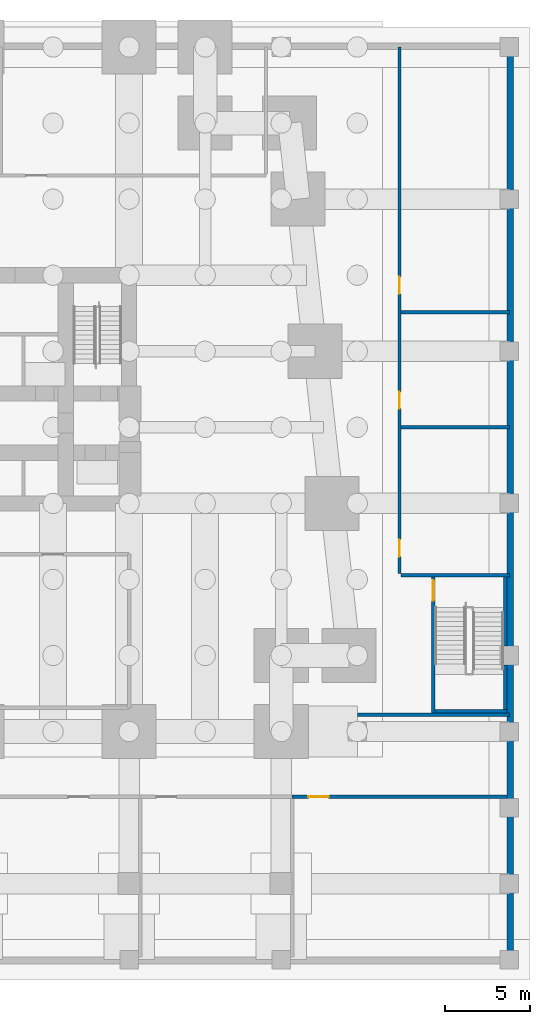
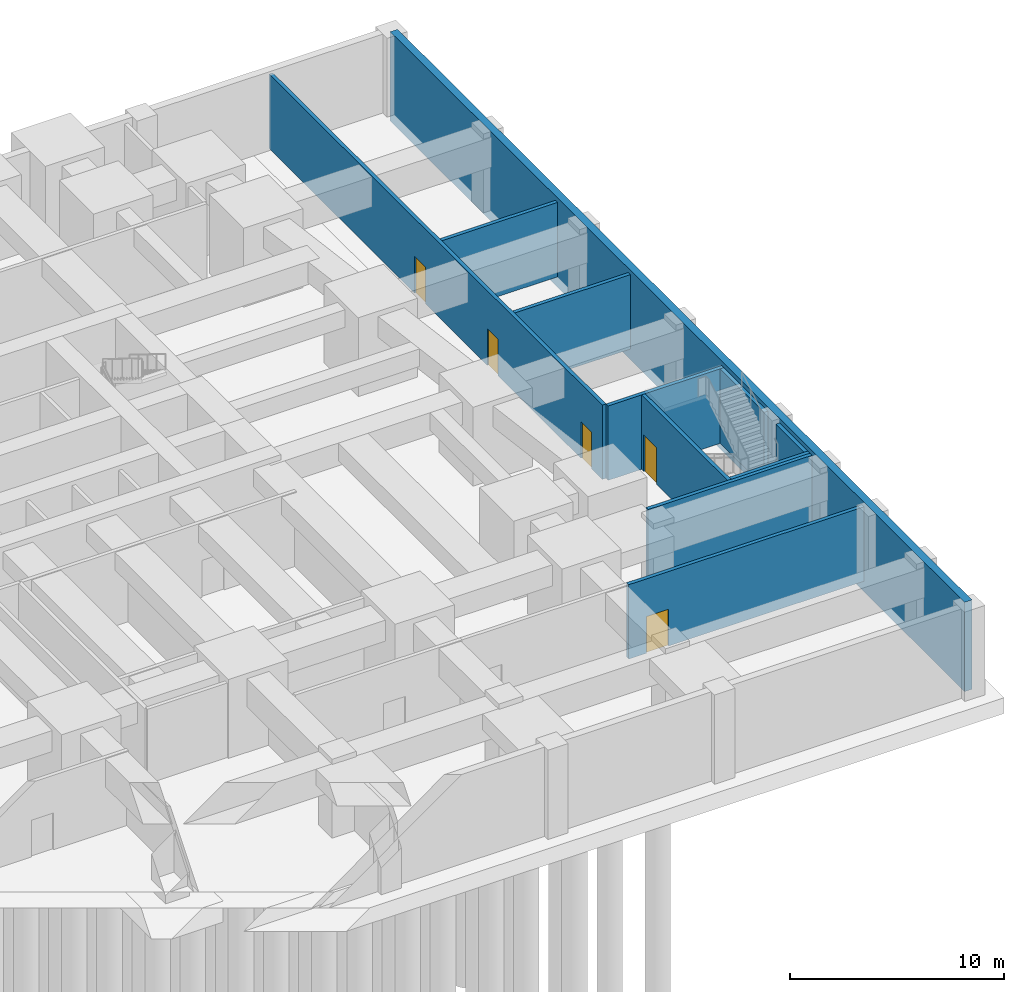
# One storey, part 5 of 9: 11 walls, 5 doors, 5 openings.
"""IFC4 building model written with IfcOpenShell, lengths in metres."""

import ifcopenshell
import ifcopenshell.guid

model = None  # the IFC model being written
_history = None  # IfcOwnerHistory: only IFC2X3 demands one
_inside = {}  # id of a spatial element -> (the spatial element, [elements in it])
_under = {}  # id of a project, library or spatial element -> (it, [spatial elements below it])
_declared = {}  # id of a project -> (the project, [libraries it declares])
_typed = {}  # id of a type object -> (the type object, [elements of that type])
_made_of = {}  # id of a material, layer set ... -> (it, [elements and type objects made of it])


def new_model(schema):
    """Start an empty IFC model of exactly this schema.

    Asked for "IFC4X3", IfcOpenShell would pick the latest addendum, in which some entities
    have other attributes; the version numbers below select the first issue.
    IFC2X3 requires an IfcOwnerHistory on every rooted entity: one is made here for all.
    """
    global model, _history
    if schema == "IFC4X3":
        model = ifcopenshell.file(schema_version=(4, 3, 0, 0))
    else:
        model = ifcopenshell.file(schema=schema)
    _inside.clear()
    _under.clear()
    _declared.clear()
    _typed.clear()
    _made_of.clear()
    _history = None
    if model.schema == "IFC2X3":
        org = make("IfcOrganization", Name="unknown")
        user = make(
            "IfcPersonAndOrganization",
            ThePerson=make("IfcPerson", FamilyName="unknown"),
            TheOrganization=org,
        )
        app = make(
            "IfcApplication",
            ApplicationDeveloper=org,
            Version="unknown",
            ApplicationFullName="unknown",
            ApplicationIdentifier="unknown",
        )
        _history = make(
            "IfcOwnerHistory",
            OwningUser=user,
            OwningApplication=app,
            ChangeAction="ADDED",
            CreationDate=0,
        )
    return model


def make(cls, **values):
    """One entity of the class cls with the attributes given. An attribute that is None is left unset."""
    return model.create_entity(
        cls, **{name: value for name, value in values.items() if value is not None}
    )


def rooted(cls, **values):
    """An entity with a GlobalId (a new one), such as an element, a storey or a relation."""
    return make(cls, GlobalId=ifcopenshell.guid.new(), OwnerHistory=_history, **values)


def si_unit(unit_type, name, prefix=None):
    """IfcSIUnit, for example si_unit("LENGTHUNIT", "METRE", prefix="MILLI")."""
    return make("IfcSIUnit", UnitType=unit_type, Prefix=prefix, Name=name)


def assignment(units):
    """IfcUnitAssignment: the units of a project."""
    return None if units is None else make("IfcUnitAssignment", Units=units)


def point(xyz):
    """IfcCartesianPoint."""
    return None if xyz is None else make("IfcCartesianPoint", Coordinates=xyz)


def direction(xyz):
    """IfcDirection."""
    return None if xyz is None else make("IfcDirection", DirectionRatios=xyz)


def frame(location, z_axis=None, x_axis=None):
    """IfcAxis2Placement3D, a coordinate frame: its origin and axes. An axis left out is left unset."""
    return make(
        "IfcAxis2Placement3D",
        Location=point(location),
        Axis=direction(z_axis),
        RefDirection=direction(x_axis),
    )


def frame_2d(location, x_axis=None):
    """IfcAxis2Placement2D, a coordinate frame in the plane: its origin and x axis."""
    return make(
        "IfcAxis2Placement2D", Location=point(location), RefDirection=direction(x_axis)
    )


def origin():
    """The frame at (0, 0, 0) with its axes left unset."""
    return frame((0.0, 0.0, 0.0))


def place(relative_to, where):
    """IfcLocalPlacement: puts the frame where relative to a parent placement (None: the world)."""
    return make(
        "IfcLocalPlacement", PlacementRelTo=relative_to, RelativePlacement=where
    )


def context(
    kind, dimensions, precision=None, world=None, true_north=None, identifier=None
):
    """IfcGeometricRepresentationContext, for example the 3D "Model" context."""
    return make(
        "IfcGeometricRepresentationContext",
        ContextIdentifier=identifier,
        ContextType=kind,
        CoordinateSpaceDimension=dimensions,
        Precision=precision,
        WorldCoordinateSystem=world,
        TrueNorth=true_north,
    )


def subcontext(parent, identifier, kind, view, scale=None):
    """IfcGeometricRepresentationSubContext, for example "Body" below "Model"."""
    return make(
        "IfcGeometricRepresentationSubContext",
        ContextIdentifier=identifier,
        ContextType=kind,
        ParentContext=parent,
        TargetScale=scale,
        TargetView=view,
    )


def project(units=None, contexts=None):
    """IfcProject with its units and contexts."""
    return rooted(
        "IfcProject",
        Name="project",
        RepresentationContexts=contexts,
        UnitsInContext=assignment(units),
    )


def spatial(cls, under=None, at=None, **own):
    """A site, building, storey or space (cls), placed at a placement, below another one or the project."""
    s = rooted(cls, ObjectPlacement=at, **own)
    if under is not None:
        _under.setdefault(under.id(), (under, []))[1].append(s)
    return s


def profile(cls, at=None, kind="AREA", **sizes):
    """A parametric profile (cls). Its sizes go by their IFC names, for example OverallWidth=200.0."""
    return make(cls, ProfileType=kind, Position=at, **sizes)


def rectangle(**sizes):
    """IfcRectangleProfileDef."""
    return profile("IfcRectangleProfileDef", **sizes)


def extrude(swept, where, along, depth):
    """IfcExtrudedAreaSolid: the profile swept, set in the frame where, extruded along a direction by depth."""
    return make(
        "IfcExtrudedAreaSolid",
        SweptArea=swept,
        Position=where,
        ExtrudedDirection=direction(along),
        Depth=depth,
    )


def shape(context_of_items, identifier, shape_type, items):
    """IfcShapeRepresentation: the items that make up one representation, for example the "Body"."""
    return make(
        "IfcShapeRepresentation",
        ContextOfItems=context_of_items,
        RepresentationIdentifier=identifier,
        RepresentationType=shape_type,
        Items=items,
    )


def material(Name=None, Category=None):
    """IfcMaterial."""
    return make("IfcMaterial", Name=Name, Category=Category)


def layer(
    of_material, thickness, ventilated=None, Name=None, Category=None, Priority=None
):
    """IfcMaterialLayer: one layer of a wall or slab, of a material (None: an air gap)."""
    return make(
        "IfcMaterialLayer",
        Material=of_material,
        LayerThickness=thickness,
        IsVentilated=ventilated,
        Name=Name,
        Category=Category,
        Priority=Priority,
    )


def layer_set(layers, Name=None):
    """IfcMaterialLayerSet."""
    return make("IfcMaterialLayerSet", MaterialLayers=layers, LayerSetName=Name)


def made_of(thing, what):
    """Note that an element or type object is made of a material, layer set ...; save() writes the relation."""
    if what is not None:
        _made_of.setdefault(what.id(), (what, []))[1].append(thing)
    return thing


def type_object(cls, material=None, **own):
    """A type object (cls), such as IfcWallType, which elements share."""
    return made_of(rooted(cls, **own), material)


def element(
    cls,
    number,
    at=None,
    inside=None,
    cuts=None,
    type_object=None,
    material=None,
    context=None,
    identifier="Body",
    shape_type=None,
    held_by="IfcProductDefinitionShape",
    body=None,
    shapes=None,
    **own,
):
    """One element of the class cls, such as IfcWall. Its Tag is "e" and its number.

    at: its placement. inside: the storey or other place that contains it. cuts: it is an
    opening in that element (IfcRelVoidsElement). A single representation is given by context,
    identifier, shape_type and body (its items); several are given by shapes. held_by: the class
    of the entity that holds the representations. save() writes the other relations.
    """
    e = rooted(cls, Tag="e%d" % number, ObjectPlacement=at, **own)
    if body is not None:
        shapes = [shape(context, identifier, shape_type, body)]
    if shapes is not None:
        e.Representation = make(held_by, Representations=shapes)
    if inside is not None:
        _inside.setdefault(inside.id(), (inside, []))[1].append(e)
    if cuts is not None:
        rooted(
            "IfcRelVoidsElement", RelatingBuildingElement=cuts, RelatedOpeningElement=e
        )
    if type_object is not None:
        _typed.setdefault(type_object.id(), (type_object, []))[1].append(e)
    return made_of(e, material)


def fill(opening, filler):
    """IfcRelFillsElement: the door or window that sits in an opening."""
    return rooted(
        "IfcRelFillsElement",
        RelatingOpeningElement=opening,
        RelatedBuildingElement=filler,
    )


def aggregate(whole, parts):
    """IfcRelAggregates: a whole, such as a stair, and the parts it consists of."""
    return rooted("IfcRelAggregates", RelatingObject=whole, RelatedObjects=parts)


def save(model, path):
    """Write the relations noted so far, then the file.

    IfcRelAggregates (storeys below a building ...), IfcRelContainedInSpatialStructure (elements
    in a storey), IfcRelDefinesByType, IfcRelAssociatesMaterial and IfcRelDeclares: one each for
    every whole, place, type object, material and project.
    """
    for whole, parts in _under.values():
        aggregate(whole, parts)
    for where, things in _inside.values():
        rooted(
            "IfcRelContainedInSpatialStructure",
            RelatedElements=things,
            RelatingStructure=where,
        )
    for kind, things in _typed.values():
        rooted("IfcRelDefinesByType", RelatedObjects=things, RelatingType=kind)
    for what, things in _made_of.values():
        rooted("IfcRelAssociatesMaterial", RelatedObjects=things, RelatingMaterial=what)
    for by, libraries in _declared.values():
        rooted("IfcRelDeclares", RelatingContext=by, RelatedDefinitions=libraries)
    model.write(path)


model = new_model("IFC4")

# Units and contexts
model_context = context("Model", 3, precision=1e-05, world=origin(), true_north=direction((0.0, 1.0)))
body_context = subcontext(model_context, "Body", "Model", "MODEL_VIEW")
ifc_project = project(units=[si_unit("LENGTHUNIT", "METRE"), si_unit("AREAUNIT", "SQUARE_METRE"), si_unit("VOLUMEUNIT", "CUBIC_METRE"), si_unit("PLANEANGLEUNIT", "RADIAN"), si_unit("MASSUNIT", "GRAM", prefix="KILO")], contexts=[model_context])

# Site, building, storey
site_placement = place(None, origin())
site = spatial("IfcSite", under=ifc_project, at=site_placement, CompositionType="ELEMENT")
building_placement = place(site_placement, origin())
building = spatial("IfcBuilding", under=site, at=building_placement, Name="Kilele Tower Hotel", CompositionType="ELEMENT")
storey_placement = place(building_placement, frame((0.0, 0.0, -9.0)))
storey = spatial("IfcBuildingStorey", under=building, at=storey_placement, Name="B2", CompositionType="ELEMENT", Elevation=-9.0)

# Wall
ifc_material_1 = material(Name="Concrete C70/85", Category="concrete")
ifc_layer_1 = layer(ifc_material_1, 0.39990234375)
ifc_layer_set_1 = layer_set([ifc_layer_1], Name="Concrete C70/85")
wall_type_1 = type_object("IfcWallType", Name="Basement retaining wall 400", PredefinedType="SOLIDWALL", material=ifc_layer_set_1)
wall_1_placement = place(storey_placement, frame((58.550048828125, -13.35009765625, -0.60009765625), z_axis=(0.0, 0.0, 1.0), x_axis=(0.0, 1.0, 0.0)))
element("IfcWall", 1, at=wall_1_placement, inside=storey, type_object=wall_type_1, Name="Retaining wall B2 E", PredefinedType="SOLIDWALL", context=body_context, shape_type="SweptSolid", body=[
    extrude(rectangle(XDim=53.7001953125, YDim=0.39990234375, at=frame_2d((26.85009765625, 0.0))), origin(), (0.0, 0.0, 1.0), 5.10009765625),
])

# Wall, openings, doors
ifc_material_2 = material(Name="Blockwork, plastered both sides", Category="masonry")
ifc_layer_2 = layer(ifc_material_2, 0.199951171875)
ifc_layer_set_2 = layer_set([ifc_layer_2], Name="Blockwork, plastered both sides")
wall_type_2 = type_object("IfcWallType", Name="Partition wall 200", PredefinedType="PARTITIONING", material=ifc_layer_set_2)
wall_2_placement = place(storey_placement, frame((52.0, 9.35009765625, 0.0), z_axis=(0.0, 0.0, 1.0), x_axis=(0.0, 1.0, 0.0)))
wall_2 = element("IfcWall", 2, at=wall_2_placement, inside=storey, type_object=wall_type_2, Name="Partition wall 200 B2", PredefinedType="PARTITIONING", context=body_context, shape_type="SweptSolid", body=[
    extrude(rectangle(XDim=31.14990234375, YDim=0.199951171875, at=frame_2d((15.574951171875, 0.0))), origin(), (0.0, 0.0, 1.0), 4.25),
])
opening_1_placement = place(wall_2_placement, frame((2.0, 0.0, 0.0), z_axis=(0.0, 0.0, 1.0), x_axis=(-1.0, 0.0, 0.0)))
opening_1 = element("IfcOpeningElement", 3, at=opening_1_placement, cuts=wall_2, Name="Opening D7", PredefinedType="OPENING", context=body_context, shape_type="SweptSolid", body=[
    extrude(rectangle(XDim=1.0, YDim=2.10009765625, at=frame_2d((0.5, 1.050048828125))), frame((0.0, 0.10986328125, 0.0), z_axis=(0.0, -1.0, 0.0), x_axis=(1.0, 0.0, 0.0)), (0.0, 0.0, 1.0), 0.219970703125),
])
opening_2_placement = place(wall_2_placement, frame((10.75, 0.0, 0.0), z_axis=(0.0, 0.0, 1.0), x_axis=(-1.0, 0.0, 0.0)))
opening_2 = element("IfcOpeningElement", 4, at=opening_2_placement, cuts=wall_2, Name="Opening D7", PredefinedType="OPENING", context=body_context, shape_type="SweptSolid", body=[
    extrude(rectangle(XDim=1.0, YDim=2.10009765625, at=frame_2d((0.5, 1.050048828125))), frame((0.0, 0.10986328125, 0.0), z_axis=(0.0, -1.0, 0.0), x_axis=(1.0, 0.0, 0.0)), (0.0, 0.0, 1.0), 0.219970703125),
])
opening_3_placement = place(wall_2_placement, frame((17.550048828125, 0.0, 0.0), z_axis=(0.0, 0.0, 1.0), x_axis=(-1.0, 0.0, 0.0)))
opening_3 = element("IfcOpeningElement", 5, at=opening_3_placement, cuts=wall_2, Name="Opening D7", PredefinedType="OPENING", context=body_context, shape_type="SweptSolid", body=[
    extrude(rectangle(XDim=1.0, YDim=2.10009765625, at=frame_2d((0.5, 1.050048828125))), frame((0.0, 0.10986328125, 0.0), z_axis=(0.0, -1.0, 0.0), x_axis=(1.0, 0.0, 0.0)), (0.0, 0.0, 1.0), 0.219970703125),
])
ifc_material_3 = material(Name="Timber door leaf in hardwood frame", Category="wood")
door_type_1 = type_object("IfcDoorType", Name="Plant room door 1000", OperationType="SINGLE_SWING_LEFT", PredefinedType="DOOR", material=ifc_material_3)
door_1_placement = place(opening_1_placement, origin())
door_1 = element("IfcDoor", 6, at=door_1_placement, inside=storey, type_object=door_type_1, Name="Door Sprinkler pump room", OperationType="SINGLE_SWING_RIGHT", OverallHeight=2.10009765625, OverallWidth=1.0, PredefinedType="DOOR", context=body_context, shape_type="SweptSolid", body=[
    extrude(rectangle(XDim=1.0, YDim=2.10009765625, at=frame_2d((0.5, 1.050048828125))), frame((0.0, 0.02490234375, 0.0), z_axis=(0.0, -1.0, 0.0), x_axis=(1.0, 0.0, 0.0)), (0.0, 0.0, 1.0), 0.050048828125),
])
fill(opening_1, door_1)
door_2_placement = place(opening_2_placement, origin())
door_2 = element("IfcDoor", 7, at=door_2_placement, inside=storey, type_object=door_type_1, Name="Door Fire water tank room", OperationType="SINGLE_SWING_RIGHT", OverallHeight=2.10009765625, OverallWidth=1.0, PredefinedType="DOOR", context=body_context, shape_type="SweptSolid", body=[
    extrude(rectangle(XDim=1.0, YDim=2.10009765625, at=frame_2d((0.5, 1.050048828125))), frame((0.0, 0.02490234375, 0.0), z_axis=(0.0, -1.0, 0.0), x_axis=(1.0, 0.0, 0.0)), (0.0, 0.0, 1.0), 0.050048828125),
])
fill(opening_2, door_2)
door_3_placement = place(opening_3_placement, origin())
door_3 = element("IfcDoor", 8, at=door_3_placement, inside=storey, type_object=door_type_1, Name="Door Water tank room", OperationType="SINGLE_SWING_RIGHT", OverallHeight=2.10009765625, OverallWidth=1.0, PredefinedType="DOOR", context=body_context, shape_type="SweptSolid", body=[
    extrude(rectangle(XDim=1.0, YDim=2.10009765625, at=frame_2d((0.5, 1.050048828125))), frame((0.0, 0.02490234375, 0.0), z_axis=(0.0, -1.0, 0.0), x_axis=(1.0, 0.0, 0.0)), (0.0, 0.0, 1.0), 0.050048828125),
])
fill(opening_3, door_3)

# Walls
wall_3_placement = place(storey_placement, frame((49.5, 1.0, 0.0), z_axis=(0.0, 0.0, 1.0), x_axis=(1.0, 0.0, 0.0)))
element("IfcWall", 9, at=wall_3_placement, inside=storey, type_object=wall_type_2, Name="Partition wall 200 B2", PredefinedType="PARTITIONING", context=body_context, shape_type="SweptSolid", body=[
    extrude(rectangle(XDim=9.0, YDim=0.199951171875, at=frame_2d((4.5, 0.0))), origin(), (0.0, 0.0, 1.0), 4.25),
])
for number, where, z_axis, x_axis, name in (
    (10, (52.10009765625, 18.0, 0.0), (0.0, 0.0, 1.0), (1.0, 0.0, 0.0), "Partition wall 200 B2"),
    (11, (52.10009765625, 24.800048828125, 0.0), (0.0, 0.0, 1.0), (1.0, 0.0, 0.0), "Partition wall 200 B2"),
):
    element("IfcWall", number, at=place(storey_placement, frame(where, z_axis=z_axis, x_axis=x_axis)), inside=storey, type_object=wall_type_2, Name=name, PredefinedType="PARTITIONING", context=body_context, shape_type="SweptSolid", body=[
        extrude(rectangle(XDim=6.39990234375, YDim=0.199951171875, at=frame_2d((3.199951171875, 0.0))), origin(), (0.0, 0.0, 1.0), 4.25),
    ])

# Wall, opening, door
wall_4_placement = place(storey_placement, frame((45.64990234375, -3.85009765625, 0.0), z_axis=(0.0, 0.0, 1.0), x_axis=(1.0, 0.0, 0.0)))
wall_4 = element("IfcWall", 12, at=wall_4_placement, inside=storey, type_object=wall_type_2, Name="Partition wall 200 B2", PredefinedType="PARTITIONING", context=body_context, shape_type="SweptSolid", body=[
    extrude(rectangle(XDim=12.7001953125, YDim=0.199951171875, at=frame_2d((6.35009765625, 0.0))), origin(), (0.0, 0.0, 1.0), 4.25),
])
opening_4_placement = place(wall_4_placement, frame((2.14990234375, 0.0, 0.0), z_axis=(0.0, 0.0, 1.0), x_axis=(-1.0, 0.0, 0.0)))
opening_4 = element("IfcOpeningElement", 13, at=opening_4_placement, cuts=wall_4, Name="Opening D7A", PredefinedType="OPENING", context=body_context, shape_type="SweptSolid", body=[
    extrude(rectangle(XDim=1.199951171875, YDim=2.10009765625, at=frame_2d((0.60009765625, 1.050048828125))), frame((0.0, 0.10986328125, 0.0), z_axis=(0.0, -1.0, 0.0), x_axis=(1.0, 0.0, 0.0)), (0.0, 0.0, 1.0), 0.219970703125),
])
ifc_material_4 = material(Name="Timber door leaf in hardwood frame", Category="wood")
door_type_2 = type_object("IfcDoorType", Name="Plant room door 1200", OperationType="SINGLE_SWING_LEFT", PredefinedType="DOOR", material=ifc_material_4)
door_4_placement = place(opening_4_placement, origin())
door_4 = element("IfcDoor", 14, at=door_4_placement, inside=storey, type_object=door_type_2, Name="Door Plant control room", OperationType="SINGLE_SWING_RIGHT", OverallHeight=2.10009765625, OverallWidth=1.199951171875, PredefinedType="DOOR", context=body_context, shape_type="SweptSolid", body=[
    extrude(rectangle(XDim=1.199951171875, YDim=2.10009765625, at=frame_2d((0.60009765625, 1.050048828125))), frame((0.0, 0.02490234375, 0.0), z_axis=(0.0, -1.0, 0.0), x_axis=(1.0, 0.0, 0.0)), (0.0, 0.0, 1.0), 0.050048828125),
])
fill(opening_4, door_4)

ifc_material_5 = material(Name="Concrete C40/50", Category="concrete")
ifc_layer_3 = layer(ifc_material_5, 0.199951171875)
ifc_layer_set_3 = layer_set([ifc_layer_3], Name="Concrete C40/50")
wall_type_3 = type_object("IfcWallType", Name="Stair wall RC 200 C40/50", PredefinedType="SOLIDWALL", material=ifc_layer_set_3)
wall_5_placement = place(storey_placement, frame((54.0, 1.10009765625, 0.0), z_axis=(0.0, 0.0, 1.0), x_axis=(0.0, 1.0, 0.0)))
wall_5 = element("IfcWall", 15, at=wall_5_placement, inside=storey, type_object=wall_type_3, Name="Stair wall RC 200 C40/50 B2", PredefinedType="SOLIDWALL", context=body_context, shape_type="SweptSolid", body=[
    extrude(rectangle(XDim=8.0498046875, YDim=0.199951171875, at=frame_2d((4.02490234375, 0.0))), origin(), (0.0, 0.0, 1.0), 4.25),
])
opening_5_placement = place(wall_5_placement, frame((7.849853515625, 0.0, 0.0), z_axis=(0.0, 0.0, 1.0), x_axis=(-1.0, 0.0, 0.0)))
opening_5 = element("IfcOpeningElement", 16, at=opening_5_placement, cuts=wall_5, Name="Opening D5A", PredefinedType="OPENING", context=body_context, shape_type="SweptSolid", body=[
    extrude(rectangle(XDim=1.199951171875, YDim=2.10009765625, at=frame_2d((0.60009765625, 1.050048828125))), frame((0.0, 0.10986328125, 0.0), z_axis=(0.0, -1.0, 0.0), x_axis=(1.0, 0.0, 0.0)), (0.0, 0.0, 1.0), 0.219970703125),
])
ifc_material_6 = material(Name="Timber door leaf in hardwood frame", Category="wood")
door_type_3 = type_object("IfcDoorType", Name="Stair door 1200", OperationType="SINGLE_SWING_LEFT", PredefinedType="DOOR", material=ifc_material_6)
door_5_placement = place(opening_5_placement, origin())
door_5 = element("IfcDoor", 17, at=door_5_placement, inside=storey, type_object=door_type_3, Name="Stair 5 door", OperationType="SINGLE_SWING_LEFT", OverallHeight=2.10009765625, OverallWidth=1.199951171875, PredefinedType="DOOR", context=body_context, shape_type="SweptSolid", body=[
    extrude(rectangle(XDim=1.199951171875, YDim=2.10009765625, at=frame_2d((0.60009765625, 1.050048828125))), frame((0.0, 0.02490234375, 0.0), z_axis=(0.0, -1.0, 0.0), x_axis=(1.0, 0.0, 0.0)), (0.0, 0.0, 1.0), 0.050048828125),
])
fill(opening_5, door_5)

# Walls
wall_6_placement = place(storey_placement, frame((52.10009765625, 9.25, 0.0), z_axis=(0.0, 0.0, 1.0), x_axis=(1.0, 0.0, 0.0)))
element("IfcWall", 18, at=wall_6_placement, inside=storey, type_object=wall_type_3, Name="Stair wall RC 200 C40/50 B2", PredefinedType="SOLIDWALL", context=body_context, shape_type="SweptSolid", body=[
    extrude(rectangle(XDim=6.39990234375, YDim=0.199951171875, at=frame_2d((3.199951171875, 0.0))), origin(), (0.0, 0.0, 1.0), 4.25),
])
wall_7_placement = place(storey_placement, frame((54.10009765625, 1.199951171875, 0.0), z_axis=(0.0, 0.0, 1.0), x_axis=(1.0, 0.0, 0.0)))
element("IfcWall", 19, at=wall_7_placement, inside=storey, type_object=wall_type_3, Name="Stair wall RC 200 C40/50 B2", PredefinedType="SOLIDWALL", context=body_context, shape_type="SweptSolid", body=[
    extrude(rectangle(XDim=4.25, YDim=0.199951171875, at=frame_2d((2.125, 0.0))), origin(), (0.0, 0.0, 1.0), 4.25),
])
wall_8_placement = place(storey_placement, frame((58.25, 1.300048828125, 0.0), z_axis=(0.0, 0.0, 1.0), x_axis=(0.0, 1.0, 0.0)))
element("IfcWall", 20, at=wall_8_placement, inside=storey, type_object=wall_type_3, Name="Stair wall RC 200 C40/50 B2", PredefinedType="SOLIDWALL", context=body_context, shape_type="SweptSolid", body=[
    extrude(rectangle(XDim=2.64990234375, YDim=0.199951171875, at=frame_2d((1.324951171875, 0.0))), origin(), (0.0, 0.0, 1.0), 4.25),
])
wall_9_placement = place(storey_placement, frame((58.25, 5.050048828125, 0.0), z_axis=(0.0, 0.0, 1.0), x_axis=(0.0, 1.0, 0.0)))
element("IfcWall", 21, at=wall_9_placement, inside=storey, type_object=wall_type_3, Name="Stair wall RC 200 C40/50 B2", PredefinedType="SOLIDWALL", context=body_context, shape_type="SweptSolid", body=[
    extrude(rectangle(XDim=4.099853515625, YDim=0.199951171875, at=frame_2d((2.0498046875, 0.0))), origin(), (0.0, 0.0, 1.0), 4.25),
])

save(model, "model.ifc")
